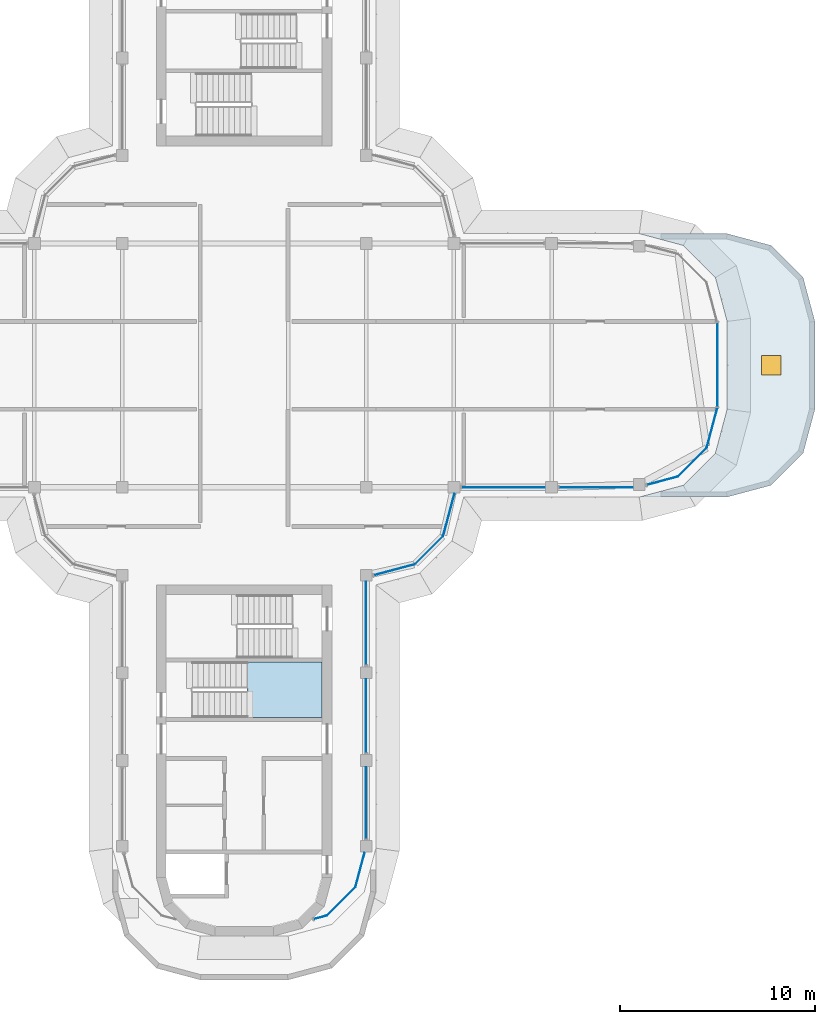
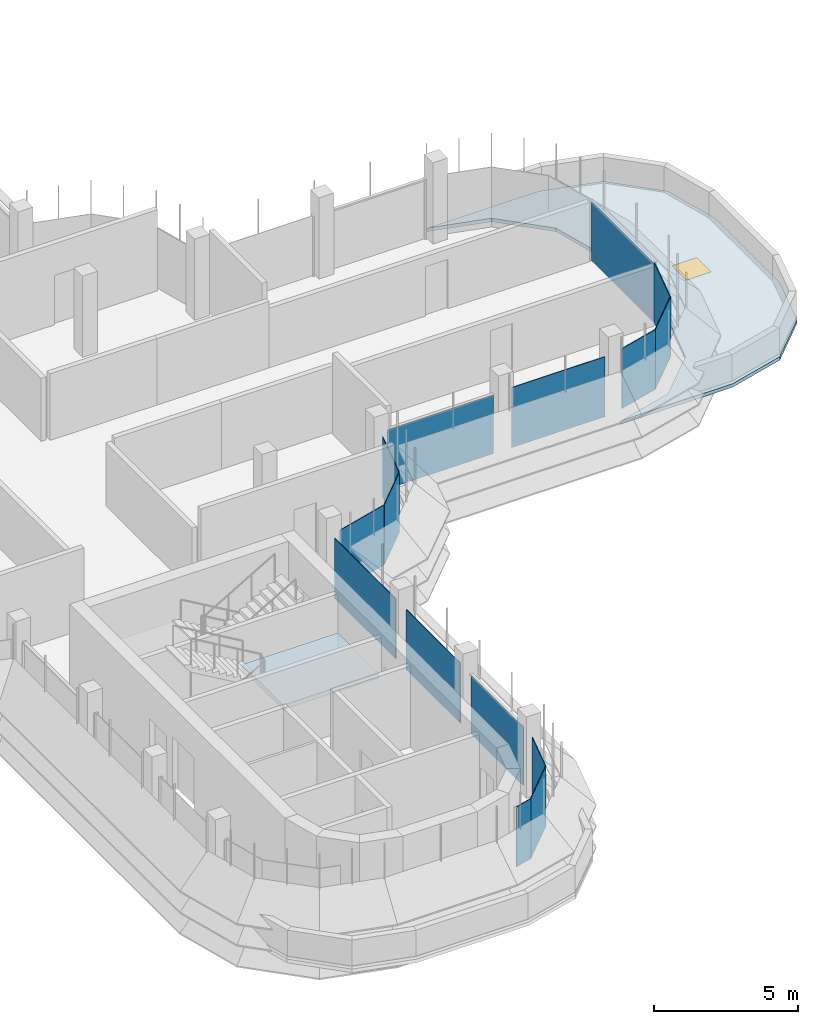
# One storey, part 11 of 20: 15 plates, 2 slabs, 1 window, 1 opening, 13 elements without a shape of their own.
"""IFC4 building model written with IfcOpenShell, lengths in metres."""

from ifc_helpers import new_model, si_unit, direction, frame, origin, origin_2d, place, context, subcontext, project, spatial, polyline, rectangle, outline, extrude, source, transform, mapped, material, layer, layer_set, type_object, element, fill, aggregate, save


model = new_model("IFC4")

# Units and contexts
model_context = context("Model", 3, precision=1e-05, world=origin(), true_north=direction((0.0, 1.0)))
body_context = subcontext(model_context, "Body", "Model", "MODEL_VIEW")
ifc_project = project(units=[si_unit("LENGTHUNIT", "METRE"), si_unit("AREAUNIT", "SQUARE_METRE"), si_unit("VOLUMEUNIT", "CUBIC_METRE"), si_unit("PLANEANGLEUNIT", "RADIAN"), si_unit("MASSUNIT", "GRAM", prefix="KILO")], contexts=[model_context])

# Site, building, storey
site_placement = place(None, origin())
site = spatial("IfcSite", under=ifc_project, at=site_placement, CompositionType="ELEMENT")
building_placement = place(site_placement, origin())
building = spatial("IfcBuilding", under=site, at=building_placement, Name="Zarbagh Exchange Tower", CompositionType="ELEMENT")
storey_placement = place(building_placement, frame((0.0, 0.0, 291.60009765625)))
storey = spatial("IfcBuildingStorey", under=building, at=storey_placement, Name="L71", CompositionType="ELEMENT", Elevation=291.60009765625)

# Slab, opening, window
ifc_material_1 = material(Name="Concrete C40/50", Category="concrete")
ifc_layer_1 = layer(ifc_material_1, 0.14990234375)
ifc_layer_set_1 = layer_set([ifc_layer_1], Name="Crown terrace roof slab 150 C40/50")
slab_type_1 = type_object("IfcSlabType", Name="Crown terrace roof slab 150 C40/50", PredefinedType="ROOF", material=ifc_layer_set_1)
slab_1_placement = place(storey_placement, frame((0.0, 0.0, -0.150146484375)))
slab_1 = element("IfcSlab", 1, at=slab_1_placement, inside=storey, type_object=slab_type_1, Name="S11 crown terrace roof slab", PredefinedType="ROOF", context=body_context, shape_type="SweptSolid", body=[
    extrude(outline(polyline([(24.75, 6.75), (27.0, 6.147216796875), (28.647216796875, 4.5), (29.25, 2.25), (29.25, -2.25), (28.647216796875, -4.5), (27.0, -6.147216796875), (24.75, -6.75), (20.25, -6.75), (22.5, -6.147216796875), (24.147216796875, -4.5), (24.75, -2.25), (24.75, 2.25), (24.147216796875, 4.5), (22.5, 6.147216796875), (20.25, 6.75), (24.75, 6.75)])), origin(), (0.0, 0.0, 1.0), 0.150146484375),
])
opening_placement = place(slab_1_placement, frame((27.0, 0.0, 0.0)))
opening = element("IfcOpeningElement", 2, at=opening_placement, cuts=slab_1, Name="Opening RH01", PredefinedType="OPENING", context=body_context, shape_type="SweptSolid", body=[
    extrude(rectangle(XDim=1.0, YDim=1.0, at=origin_2d()), frame((0.0, 0.0, -0.010009765625)), (0.0, 0.0, 1.0), 0.170166015625),
])
ifc_material_2 = material(Name="Aluminium", Category="aluminium")
window_type = type_object("IfcWindowType", Name="Roof access hatch, insulated aluminium", PartitioningType="SINGLE_PANEL", PredefinedType="SKYLIGHT", material=ifc_material_2)
window_placement = place(opening_placement, frame((0.0, 0.0, 0.10009765625)))
window = element("IfcWindow", 3, at=window_placement, inside=storey, type_object=window_type, Name="RH01 roof access hatch", OverallHeight=1.0, OverallWidth=1.0, PartitioningType="SINGLE_PANEL", PredefinedType="SKYLIGHT", context=body_context, shape_type="SweptSolid", body=[
    extrude(rectangle(XDim=1.0, YDim=1.0, at=origin_2d()), origin(), (0.0, 0.0, 1.0), 0.050048828125),
])
fill(opening, window)

# Stair, slab
stair_type = type_object("IfcStairType", Name="Exit stair two-flight half-turn", PredefinedType="HALF_TURN_STAIR", material=ifc_material_1)
stair_placement = place(storey_placement, origin())
stair = element("IfcStair", 4, at=stair_placement, inside=storey, type_object=stair_type, Name="exit stair ST3", PredefinedType="HALF_TURN_STAIR")
ifc_layer_2 = layer(ifc_material_1, 0.199951171875)
ifc_layer_set_2 = layer_set([ifc_layer_2], Name="Stair landing 200 mm")
slab_type_2 = type_object("IfcSlabType", Name="Stair landing 200 mm", PredefinedType="LANDING", material=ifc_layer_set_2)
slab_2_placement = place(storey_placement, frame((0.0, 0.0, 1.599853515625)))
slab_2 = element("IfcSlab", 5, at=slab_2_placement, type_object=slab_type_2, Name="ST3 landing 1", PredefinedType="LANDING", context=body_context, shape_type="SweptSolid", body=[
    extrude(outline(polyline([(0.14990234375, -18.050048828125), (4.0, -18.050048828125), (4.0, -15.199951171875), (0.14990234375, -15.199951171875), (0.14990234375, -18.050048828125)])), origin(), (0.0, 0.0, 1.0), 0.199951171875),
])
aggregate(stair, [slab_2])

# Curtain wall, plate
ifc_material_3 = material(Name="Anodised aluminium frame and glazing", Category="aluminium")
curtain_wall_type = type_object("IfcCurtainWallType", Name="CWF Crown tier glazing", PredefinedType="NOTDEFINED", material=ifc_material_3)
curtain_wall_1_placement = place(storey_placement, origin())
curtain_wall_1 = element("IfcCurtainWall", 6, at=curtain_wall_1_placement, inside=storey, type_object=curtain_wall_type, Name="CWF01 curtain wall", PredefinedType="NOTDEFINED")
ifc_material_4 = material(Name="Low-e double glazed unit, 6+12+6 mm")
ifc_layer_3 = layer(ifc_material_4, 0.028076171875)
ifc_layer_set_3 = layer_set([ifc_layer_3], Name="PAF Glazing panel, Low-e double glazed unit, 6+12+6 mm")
plate_type = type_object("IfcPlateType", Name="PAF Glazing panel, Low-e double glazed unit, 6+12+6 mm", PredefinedType="CURTAIN_PANEL", material=ifc_layer_set_3)
shared_shape_1 = source(origin(), body_context, "Body", "SweptSolid", [
    extrude(outline(polyline([(0.0, -0.013916015625), (0.697021484375, -0.013916015625), (0.697021484375, 0.013916015625), (0.0, 0.013916015625), (0.0, -0.013916015625)])), origin(), (0.0, 0.0, 1.0), 2.550048828125),
])
placement = place(storey_placement, origin())
plate_1 = element("IfcPlate", 7, at=placement, type_object=plate_type, Name="CWF01 glazing panel 1.1", PredefinedType="CURTAIN_PANEL", context=body_context, shape_type="MappedRepresentation", body=[
    mapped(shared_shape_1, transform((3.56787109375, -28.379150390625, 0.0), x_axis=(0.965924289636, 0.258824779902, 0.0), y_axis=(-0.258824779902, 0.965924289636, 0.0), z_axis=(0.0, 0.0, 1.0))),
])
aggregate(curtain_wall_1, [plate_1])

curtain_wall_2_placement = place(storey_placement, origin())
curtain_wall_2 = element("IfcCurtainWall", 8, at=curtain_wall_2_placement, inside=storey, type_object=curtain_wall_type, Name="CWF02 curtain wall", PredefinedType="NOTDEFINED")
shared_shape_2 = source(origin(), body_context, "Body", "SweptSolid", [
    extrude(outline(polyline([(0.0, -0.013916015625), (2.061279296875, -0.013916015625), (2.061279296875, 0.013916015625), (0.0, 0.013916015625), (0.0, -0.013916015625)])), origin(), (0.0, 0.0, 1.0), 2.550048828125),
])
plate_2 = element("IfcPlate", 9, at=placement, type_object=plate_type, Name="CWF02 glazing panel 1.1", PredefinedType="CURTAIN_PANEL", context=body_context, shape_type="MappedRepresentation", body=[
    mapped(shared_shape_2, transform((4.2412109375, -28.19873046875, 0.0), x_axis=(0.707106781187, 0.707106781187, 0.0), y_axis=(-0.707106781187, 0.707106781187, 0.0), z_axis=(0.0, 0.0, 1.0))),
])
aggregate(curtain_wall_2, [plate_2])

curtain_wall_3_placement = place(storey_placement, origin())
curtain_wall_3 = element("IfcCurtainWall", 10, at=curtain_wall_3_placement, inside=storey, type_object=curtain_wall_type, Name="CWF06 curtain wall", PredefinedType="NOTDEFINED")
plate_3 = element("IfcPlate", 11, at=placement, type_object=plate_type, Name="CWF06 glazing panel 1.1", PredefinedType="CURTAIN_PANEL", context=body_context, shape_type="MappedRepresentation", body=[
    mapped(shared_shape_2, transform((8.7412109375, -10.19873046875, 0.0), x_axis=(0.707106781187, 0.707106781187, 0.0), y_axis=(-0.707106781187, 0.707106781187, 0.0), z_axis=(0.0, 0.0, 1.0))),
])
aggregate(curtain_wall_3, [plate_3])

curtain_wall_4_placement = place(storey_placement, origin())
curtain_wall_4 = element("IfcCurtainWall", 12, at=curtain_wall_4_placement, inside=storey, type_object=curtain_wall_type, Name="CWF10 curtain wall", PredefinedType="NOTDEFINED")
plate_4 = element("IfcPlate", 13, at=placement, type_object=plate_type, Name="CWF10 glazing panel 1.1", PredefinedType="CURTAIN_PANEL", context=body_context, shape_type="MappedRepresentation", body=[
    mapped(shared_shape_2, transform((22.2412109375, -5.69873046875, 0.0), x_axis=(0.707106781187, 0.707106781187, 0.0), y_axis=(-0.707106781187, 0.707106781187, 0.0), z_axis=(0.0, 0.0, 1.0))),
])
aggregate(curtain_wall_4, [plate_4])

curtain_wall_5_placement = place(storey_placement, origin())
curtain_wall_5 = element("IfcCurtainWall", 14, at=curtain_wall_5_placement, inside=storey, type_object=curtain_wall_type, Name="CWF03 curtain wall", PredefinedType="NOTDEFINED")
shared_shape_3 = source(origin(), body_context, "Body", "SweptSolid", [
    extrude(outline(polyline([(0.0, -0.013916015625), (1.81298828125, -0.013916015625), (1.81298828125, 0.013916015625), (0.0, 0.013916015625), (0.0, -0.013916015625)])), origin(), (0.0, 0.0, 1.0), 2.550048828125),
])
plate_5 = element("IfcPlate", 15, at=placement, type_object=plate_type, Name="CWF03 glazing panel 1.1", PredefinedType="CURTAIN_PANEL", context=body_context, shape_type="MappedRepresentation", body=[
    mapped(shared_shape_3, transform((5.69873046875, -26.7412109375, 0.0), x_axis=(0.258824779902, 0.965924289636, 0.0), y_axis=(-0.965924289636, 0.258824779902, 0.0), z_axis=(0.0, 0.0, 1.0))),
])
aggregate(curtain_wall_5, [plate_5])

# Curtain wall, plates
curtain_wall_6_placement = place(storey_placement, origin())
curtain_wall_6 = element("IfcCurtainWall", 16, at=curtain_wall_6_placement, inside=storey, type_object=curtain_wall_type, Name="CWF04 curtain wall", PredefinedType="NOTDEFINED")
shared_shape_4 = source(origin(), body_context, "Body", "SweptSolid", [
    extrude(outline(polyline([(0.0, -0.013916015625), (3.659912109375, -0.013916015625), (3.659912109375, 0.013916015625), (0.0, 0.013916015625), (0.0, -0.013916015625)])), origin(), (0.0, 0.0, 1.0), 2.489990234375),
])
plate_6 = element("IfcPlate", 17, at=placement, type_object=plate_type, Name="CWF04 glazing panel 1.1", PredefinedType="CURTAIN_PANEL", context=body_context, shape_type="MappedRepresentation", body=[
    mapped(shared_shape_4, transform((6.25, -24.25, 0.0), x_axis=(0.0, 1.0, 0.0), y_axis=(-1.0, 0.0, 0.0), z_axis=(0.0, 0.0, 1.0))),
])
shared_shape_5 = source(origin(), body_context, "Body", "SweptSolid", [
    extrude(outline(polyline([(0.0, -0.013916015625), (3.760009765625, -0.013916015625), (3.760009765625, 0.013916015625), (0.0, 0.013916015625), (0.0, -0.013916015625)])), origin(), (0.0, 0.0, 1.0), 2.550048828125),
])
plate_7 = element("IfcPlate", 18, at=placement, type_object=plate_type, Name="CWF04 glazing panel 2.1", PredefinedType="CURTAIN_PANEL", context=body_context, shape_type="MappedRepresentation", body=[
    mapped(shared_shape_5, transform((6.25, -19.849853515625, 0.0), x_axis=(0.0, 1.0, 0.0), y_axis=(-1.0, 0.0, 0.0), z_axis=(0.0, 0.0, 1.0))),
])

# Curtain wall, plate
curtain_wall_7_placement = place(storey_placement, origin())
curtain_wall_7 = element("IfcCurtainWall", 19, at=curtain_wall_7_placement, inside=storey, type_object=curtain_wall_type, Name="CWF08 curtain wall", PredefinedType="NOTDEFINED")
plate_8 = element("IfcPlate", 20, at=placement, type_object=plate_type, Name="CWF08 glazing panel 2.1", PredefinedType="CURTAIN_PANEL", context=body_context, shape_type="MappedRepresentation", body=[
    mapped(shared_shape_5, transform((16.150146484375, -6.25, 0.0), x_axis=(1.0, 0.0, 0.0), y_axis=(0.0, 1.0, 0.0), z_axis=(0.0, 0.0, 1.0))),
])

# Plate
shared_shape_6 = source(origin(), body_context, "Body", "SweptSolid", [
    extrude(outline(polyline([(0.0, -0.013916015625), (4.260009765625, -0.013916015625), (4.260009765625, 0.013916015625), (0.0, 0.013916015625), (0.0, -0.013916015625)])), origin(), (0.0, 0.0, 1.0), 2.550048828125),
])
plate_9 = element("IfcPlate", 21, at=placement, type_object=plate_type, Name="CWF04 glazing panel 3.1", PredefinedType="CURTAIN_PANEL", context=body_context, shape_type="MappedRepresentation", body=[
    mapped(shared_shape_6, transform((6.25, -15.349853515625, 0.0), x_axis=(0.0, 1.0, 0.0), y_axis=(-1.0, 0.0, 0.0), z_axis=(0.0, 0.0, 1.0))),
])

aggregate(curtain_wall_6, [plate_6, plate_7, plate_9])

# Curtain wall, plate
curtain_wall_8_placement = place(storey_placement, origin())
curtain_wall_8 = element("IfcCurtainWall", 22, at=curtain_wall_8_placement, inside=storey, type_object=curtain_wall_type, Name="CWF05 curtain wall", PredefinedType="NOTDEFINED")
shared_shape_7 = source(origin(), body_context, "Body", "SweptSolid", [
    extrude(outline(polyline([(0.0, -0.013916015625), (2.1669921875, -0.013916015625), (2.1669921875, 0.013916015625), (0.0, 0.013916015625), (0.0, -0.013916015625)])), origin(), (0.0, 0.0, 1.0), 2.550048828125),
])
plate_10 = element("IfcPlate", 23, at=placement, type_object=plate_type, Name="CWF05 glazing panel 1.1", PredefinedType="CURTAIN_PANEL", context=body_context, shape_type="MappedRepresentation", body=[
    mapped(shared_shape_7, transform((6.64794921875, -10.759765625, 0.0), x_axis=(0.965924289636, 0.258824779902, 0.0), y_axis=(-0.258824779902, 0.965924289636, 0.0), z_axis=(0.0, 0.0, 1.0))),
])
aggregate(curtain_wall_8, [plate_10])

curtain_wall_9_placement = place(storey_placement, origin())
curtain_wall_9 = element("IfcCurtainWall", 24, at=curtain_wall_9_placement, inside=storey, type_object=curtain_wall_type, Name="CWF07 curtain wall", PredefinedType="NOTDEFINED")
shared_shape_8 = source(origin(), body_context, "Body", "SweptSolid", [
    extrude(outline(polyline([(0.0, -0.013916015625), (2.22705078125, -0.013916015625), (2.22705078125, 0.013916015625), (0.0, 0.013916015625), (0.0, -0.013916015625)])), origin(), (0.0, 0.0, 1.0), 2.550048828125),
])
plate_11 = element("IfcPlate", 25, at=placement, type_object=plate_type, Name="CWF07 glazing panel 1.1", PredefinedType="CURTAIN_PANEL", context=body_context, shape_type="MappedRepresentation", body=[
    mapped(shared_shape_8, transform((10.19873046875, -8.7412109375, 0.0), x_axis=(0.258824779902, 0.965924289636, 0.0), y_axis=(-0.965924289636, 0.258824779902, 0.0), z_axis=(0.0, 0.0, 1.0))),
])
aggregate(curtain_wall_9, [plate_11])

# Plate
shared_shape_9 = source(origin(), body_context, "Body", "SweptSolid", [
    extrude(outline(polyline([(0.0, -0.013916015625), (4.260009765625, -0.013916015625), (4.260009765625, 0.013916015625), (0.0, 0.013916015625), (0.0, -0.013916015625)])), origin(), (0.0, 0.0, 1.0), 2.489990234375),
])
plate_12 = element("IfcPlate", 26, at=placement, type_object=plate_type, Name="CWF08 glazing panel 1.1", PredefinedType="CURTAIN_PANEL", context=body_context, shape_type="MappedRepresentation", body=[
    mapped(shared_shape_9, transform((11.150146484375, -6.25, 0.0), x_axis=(1.0, 0.0, 0.0), y_axis=(0.0, 1.0, 0.0), z_axis=(0.0, 0.0, 1.0))),
])

aggregate(curtain_wall_7, [plate_12, plate_8])

# Curtain wall, plate
curtain_wall_10_placement = place(storey_placement, origin())
curtain_wall_10 = element("IfcCurtainWall", 27, at=curtain_wall_10_placement, inside=storey, type_object=curtain_wall_type, Name="CWF09 curtain wall", PredefinedType="NOTDEFINED")
shared_shape_10 = source(origin(), body_context, "Body", "SweptSolid", [
    extrude(outline(polyline([(0.0, -0.013916015625), (1.6494140625, -0.013916015625), (1.6494140625, 0.013916015625), (0.0, 0.013916015625), (0.0, -0.013916015625)])), origin(), (0.0, 0.0, 1.0), 2.550048828125),
])
plate_13 = element("IfcPlate", 28, at=placement, type_object=plate_type, Name="CWF09 glazing panel 1.1", PredefinedType="CURTAIN_PANEL", context=body_context, shape_type="MappedRepresentation", body=[
    mapped(shared_shape_10, transform((20.64794921875, -6.125732421875, 0.0), x_axis=(0.965924289636, 0.258824779902, 0.0), y_axis=(-0.258824779902, 0.965924289636, 0.0), z_axis=(0.0, 0.0, 1.0))),
])
aggregate(curtain_wall_10, [plate_13])

curtain_wall_11_placement = place(storey_placement, origin())
curtain_wall_11 = element("IfcCurtainWall", 29, at=curtain_wall_11_placement, inside=storey, type_object=curtain_wall_type, Name="CWF11 curtain wall", PredefinedType="NOTDEFINED")
shared_shape_11 = source(origin(), body_context, "Body", "SweptSolid", [
    extrude(outline(polyline([(0.0, -0.013916015625), (2.129638671875, -0.013916015625), (2.129638671875, 0.013916015625), (0.0, 0.013916015625), (0.0, -0.013916015625)])), origin(), (0.0, 0.0, 1.0), 2.550048828125),
])
plate_14 = element("IfcPlate", 30, at=placement, type_object=plate_type, Name="CWF11 glazing panel 1.1", PredefinedType="CURTAIN_PANEL", context=body_context, shape_type="MappedRepresentation", body=[
    mapped(shared_shape_11, transform((23.69873046875, -4.2412109375, 0.0), x_axis=(0.258824779902, 0.965924289636, 0.0), y_axis=(-0.965924289636, 0.258824779902, 0.0), z_axis=(0.0, 0.0, 1.0))),
])
aggregate(curtain_wall_11, [plate_14])

curtain_wall_12_placement = place(storey_placement, origin())
curtain_wall_12 = element("IfcCurtainWall", 31, at=curtain_wall_12_placement, inside=storey, type_object=curtain_wall_type, Name="CWF12 curtain wall", PredefinedType="NOTDEFINED")
shared_shape_12 = source(origin(), body_context, "Body", "SweptSolid", [
    extrude(outline(polyline([(0.0, -0.013916015625), (4.308349609375, -0.013916015625), (4.308349609375, 0.013916015625), (0.0, 0.013916015625), (0.0, -0.013916015625)])), origin(), (0.0, 0.0, 1.0), 2.489990234375),
])
plate_15 = element("IfcPlate", 32, at=placement, type_object=plate_type, Name="CWF12 glazing panel 1.1", PredefinedType="CURTAIN_PANEL", context=body_context, shape_type="MappedRepresentation", body=[
    mapped(shared_shape_12, transform((24.25, -2.124267578125, 0.0), x_axis=(0.0, 1.0, 0.0), y_axis=(-1.0, 0.0, 0.0), z_axis=(0.0, 0.0, 1.0))),
])
aggregate(curtain_wall_12, [plate_15])

save(model, "model.ifc")
